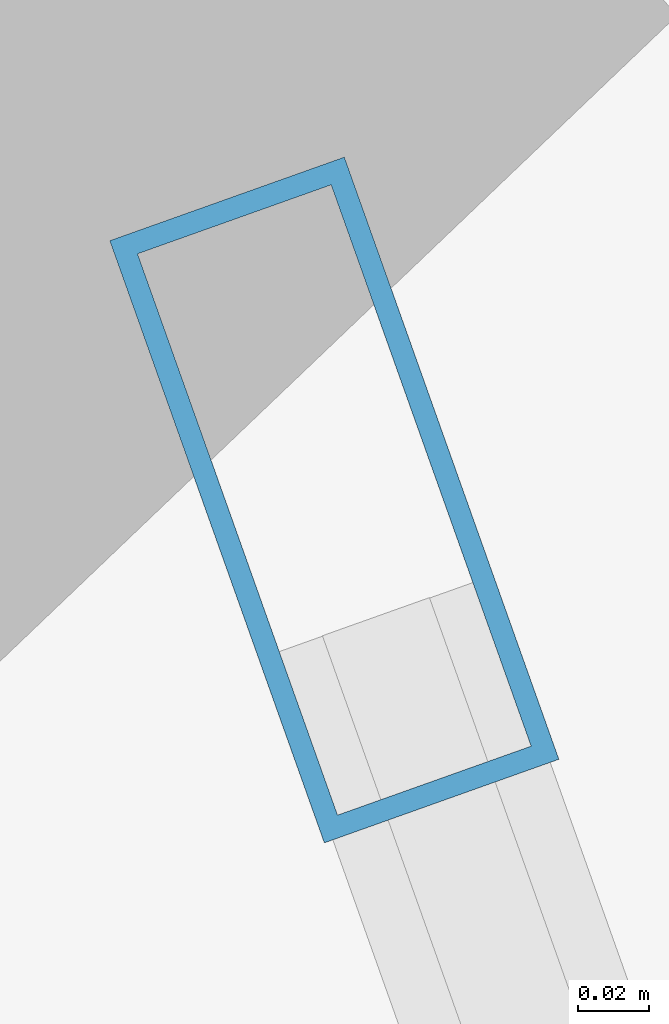
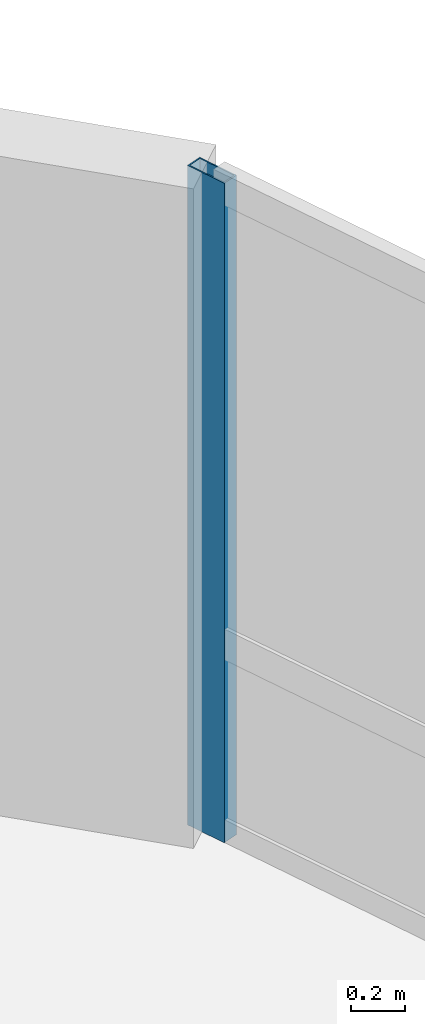
# One storey, part 10 of 17: 1 member, 1 element without a shape of its own.
"""IFC4 building model written with IfcOpenShell, lengths in metres."""

from ifc_helpers import new_model, si_unit, direction, frame, origin, origin_2d, place, context, subcontext, project, spatial, hollow_rectangle, extrude, material, layer, layer_set, material_profile, profile_set, type_object, element, aggregate, save


model = new_model("IFC4")

# Units and contexts
model_context = context("Model", 3, precision=1e-05, world=origin(), true_north=direction((0.0, 1.0)))
body_context = subcontext(model_context, "Body", "Model", "MODEL_VIEW")
ifc_project = project(units=[si_unit("LENGTHUNIT", "METRE"), si_unit("AREAUNIT", "SQUARE_METRE"), si_unit("VOLUMEUNIT", "CUBIC_METRE"), si_unit("PLANEANGLEUNIT", "RADIAN"), si_unit("MASSUNIT", "GRAM", prefix="KILO"), si_unit("THERMODYNAMICTEMPERATUREUNIT", "KELVIN"), si_unit("POWERUNIT", "WATT")], contexts=[model_context])

# Site, building, storey
site_placement = place(None, origin())
site = spatial("IfcSite", under=ifc_project, at=site_placement, CompositionType="ELEMENT")
building_placement = place(site_placement, origin())
building = spatial("IfcBuilding", under=site, at=building_placement, Name="Ocrelia Relay Tower", CompositionType="ELEMENT")
storey_placement = place(building_placement, frame((0.0, 0.0, 59.39990234375)))
storey = spatial("IfcBuildingStorey", under=building, at=storey_placement, Name="L13", CompositionType="ELEMENT", Elevation=59.39990234375)

# Curtain wall, member
ifc_material_1 = material(Name="Aluminium and solar-control low-E glass", Category="aluminium")
ifc_layer = layer(ifc_material_1, 0.179931640625, Name="Aluminium and solar-control low-E glass")
ifc_layer_set = layer_set([ifc_layer], Name="Aluminium and solar-control low-E glass")
curtain_wall_type = type_object("IfcCurtainWallType", Name="CW-SYS-Z1-DATA", PredefinedType="NOTDEFINED", material=ifc_layer_set)
curtain_wall_placement = place(storey_placement, origin())
curtain_wall = element("IfcCurtainWall", 1, at=curtain_wall_placement, inside=storey, type_object=curtain_wall_type, Name="L13 Elliptical Tower Curtain Wall Bay 01", PredefinedType="NOTDEFINED")
ifc_material_2 = material(Name="Anodised bronze aluminium", Category="aluminium")
ifc_material_profile = material_profile(ifc_material_2, hollow_rectangle(XDim=0.070068359375, YDim=0.179931640625, WallThickness=0.006103515625, at=origin_2d()), Name="CW-MUL-180x70")
ifc_profile_set = profile_set([ifc_material_profile], Name="Anodised bronze aluminium")
member_type = type_object("IfcMemberType", Name="CW-SYS-Z1-DATA-MUL", PredefinedType="MULLION", material=ifc_profile_set)
member_placement = place(storey_placement, frame((59.115966796875, 36.228271484375, 0.0), z_axis=(0.0, 0.0, 1.0), x_axis=(-0.941997078317, -0.335621072702, 0.0)))
member = element("IfcMember", 2, at=member_placement, type_object=member_type, Name="CW-Z1 mullion 3", PredefinedType="MULLION", context=body_context, shape_type="SweptSolid", body=[
    extrude(hollow_rectangle(XDim=0.070068359375, YDim=0.179931640625, WallThickness=0.006103515625, at=origin_2d()), origin(), (0.0, 0.0, 1.0), 3.0),
])
aggregate(curtain_wall, [member])

save(model, "model.ifc")
